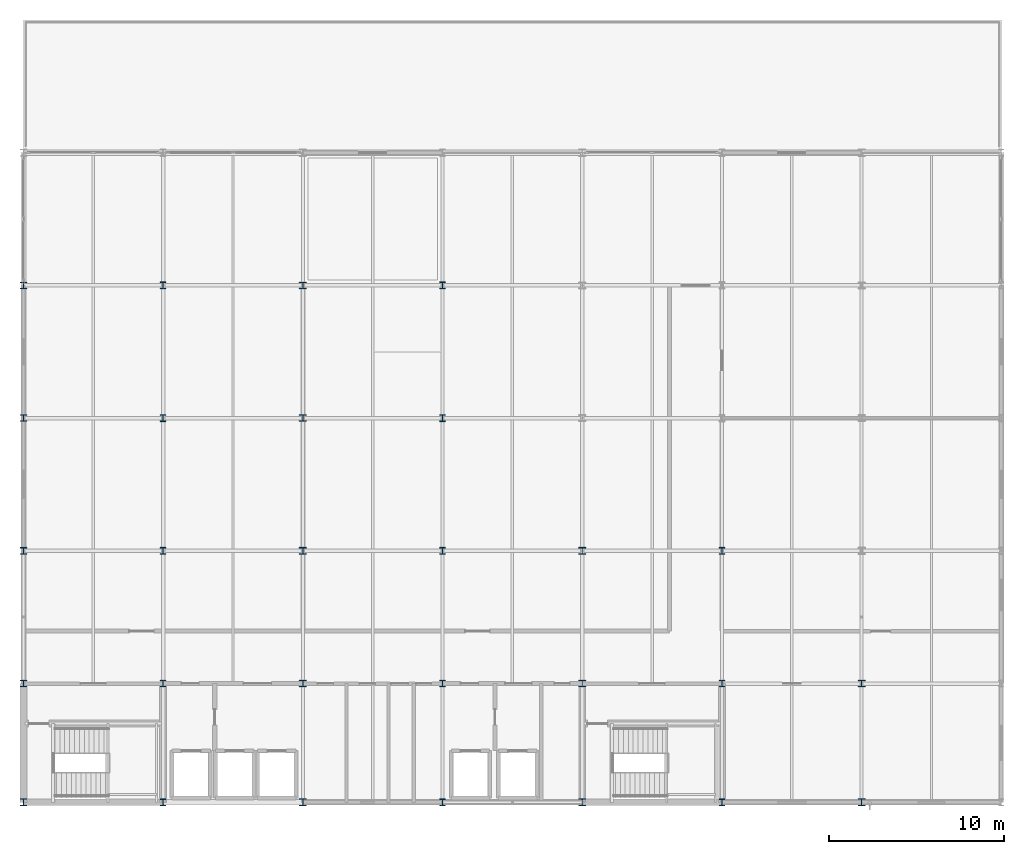
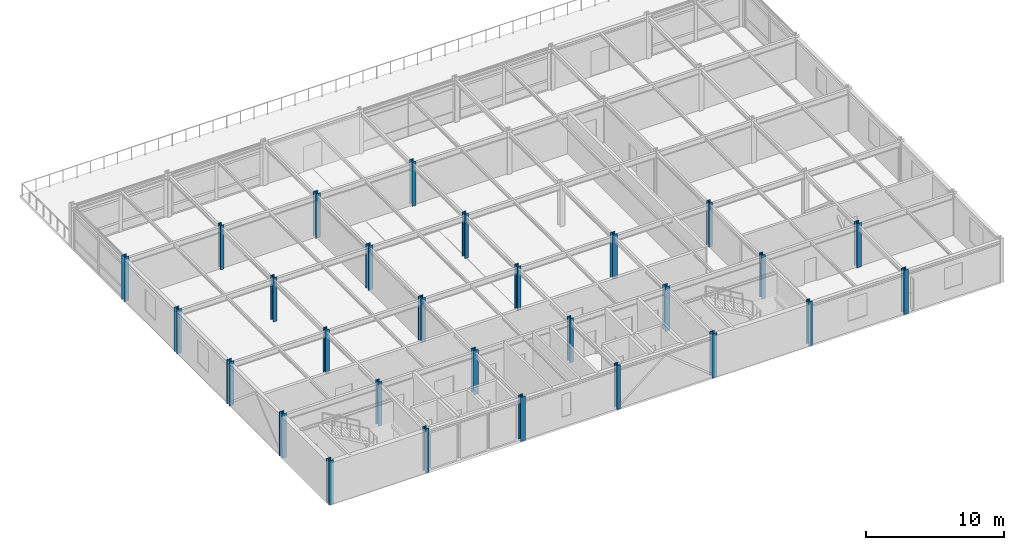
# One storey, part 1 of 17: 28 columns.
"""IFC4 building model written with IfcOpenShell, lengths in metres."""

from ifc_helpers import new_model, si_unit, direction, frame, origin, origin_2d, place, context, subcontext, project, spatial, i_section, extrude, material, material_profile, profile_set, type_object, element, save


model = new_model("IFC4")

# Units and contexts
model_context = context("Model", 3, precision=1e-05, world=origin(), true_north=direction((0.0, 1.0)))
body_context = subcontext(model_context, "Body", "Model", "MODEL_VIEW")
ifc_project = project(units=[si_unit("LENGTHUNIT", "METRE"), si_unit("AREAUNIT", "SQUARE_METRE"), si_unit("VOLUMEUNIT", "CUBIC_METRE"), si_unit("PLANEANGLEUNIT", "RADIAN"), si_unit("MASSUNIT", "GRAM", prefix="KILO")], contexts=[model_context])

# Site, building, storey
site_placement = place(None, origin())
site = spatial("IfcSite", under=ifc_project, at=site_placement, CompositionType="ELEMENT")
building_placement = place(site_placement, origin())
building = spatial("IfcBuilding", under=site, at=building_placement, Name="Shalkamar Park Central Library", CompositionType="ELEMENT")
storey_placement = place(building_placement, frame((0.0, 0.0, 36.0)))
storey = spatial("IfcBuildingStorey", under=building, at=storey_placement, Name="L09", CompositionType="ELEMENT", Elevation=36.0)

# Columns
ifc_material = material(Name="Steel S355", Category="steel")
ifc_material_profile_1 = material_profile(ifc_material, i_section(OverallWidth=0.39794921875, OverallDepth=0.386962890625, WebThickness=0.02099609375, FlangeThickness=0.033203125, FilletRadius=0.014892578125, at=origin_2d()), Name="HD 400x262")
ifc_profile_set_1 = profile_set([ifc_material_profile_1], Name="Steel S355")
column_type_1 = type_object("IfcColumnType", Name="Column Steel HD400x262", PredefinedType="COLUMN", material=ifc_profile_set_1)
for number, where, z_axis, x_axis, name in (
    (1, (165.0, 248.39990234375, 0.0), (0.0, 0.0, 1.0), (1.0, 0.0, 0.0), "Column 07/B (L09)"),
    (2, (165.0, 255.199951171875, 0.0), (0.0, 0.0, 1.0), (1.0, 0.0, 0.0), "Column 07/C (L09)"),
    (3, (165.0, 262.800048828125, 0.0), (0.0, 0.0, 1.0), (1.0, 0.0, 0.0), "Column 07/D (L09)"),
    (4, (165.0, 270.39990234375, 0.0), (0.0, 0.0, 1.0), (1.0, 0.0, 0.0), "Column 07/E (L09)"),
    (5, (165.0, 278.0, 0.0), (0.0, 0.0, 1.0), (1.0, 0.0, 0.0), "Column 07/F (L09)"),
    (6, (181.0, 248.39990234375, 0.0), (0.0, 0.0, 1.0), (1.0, 0.0, 0.0), "Column 09/B (L09)"),
    (7, (181.0, 255.199951171875, 0.0), (0.0, 0.0, 1.0), (1.0, 0.0, 0.0), "Column 09/C (L09)"),
    (8, (181.0, 262.800048828125, 0.0), (0.0, 0.0, 1.0), (1.0, 0.0, 0.0), "Column 09/D (L09)"),
    (9, (181.0, 270.39990234375, 0.0), (0.0, 0.0, 1.0), (1.0, 0.0, 0.0), "Column 09/E (L09)"),
    (10, (181.0, 278.0, 0.0), (0.0, 0.0, 1.0), (1.0, 0.0, 0.0), "Column 09/F (L09)"),
    (11, (197.0, 248.39990234375, 0.0), (0.0, 0.0, 1.0), (1.0, 0.0, 0.0), "Column 11/B (L09)"),
    (12, (197.0, 255.199951171875, 0.0), (0.0, 0.0, 1.0), (1.0, 0.0, 0.0), "Column 11/C (L09)"),
    (13, (197.0, 262.800048828125, 0.0), (0.0, 0.0, 1.0), (1.0, 0.0, 0.0), "Column 11/D (L09)"),
    (14, (213.0, 248.39990234375, 0.0), (0.0, 0.0, 1.0), (1.0, 0.0, 0.0), "Column 13/B (L09)"),
    (15, (213.0, 255.199951171875, 0.0), (0.0, 0.0, 1.0), (1.0, 0.0, 0.0), "Column 13/C (L09)"),
):
    element("IfcColumn", number, at=place(storey_placement, frame(where, z_axis=z_axis, x_axis=x_axis)), inside=storey, type_object=column_type_1, Name=name, PredefinedType="COLUMN", context=body_context, shape_type="SweptSolid", body=[
        extrude(i_section(OverallWidth=0.39794921875, OverallDepth=0.386962890625, WebThickness=0.02099609375, FlangeThickness=0.033203125, FilletRadius=0.014892578125, at=origin_2d()), origin(), (0.0, 0.0, 1.0), 3.89990234375),
    ])
ifc_material_profile_2 = material_profile(ifc_material, i_section(OverallWidth=0.30810546875, OverallDepth=0.39501953125, WebThickness=0.02099609375, FlangeThickness=0.0400390625, FilletRadius=0.027099609375, at=origin_2d()), Name="HEM 360")
ifc_profile_set_2 = profile_set([ifc_material_profile_2], Name="Steel S355")
column_type_2 = type_object("IfcColumnType", Name="Column Steel HEM360", PredefinedType="COLUMN", material=ifc_profile_set_2)
for number, where, z_axis, x_axis, name in (
    (16, (173.0, 248.39990234375, 0.0), (0.0, 0.0, 1.0), (1.0, 0.0, 0.0), "Column 08/B (L09)"),
    (17, (173.0, 255.199951171875, 0.0), (0.0, 0.0, 1.0), (1.0, 0.0, 0.0), "Column 08/C (L09)"),
    (18, (173.0, 262.800048828125, 0.0), (0.0, 0.0, 1.0), (1.0, 0.0, 0.0), "Column 08/D (L09)"),
    (19, (173.0, 270.39990234375, 0.0), (0.0, 0.0, 1.0), (1.0, 0.0, 0.0), "Column 08/E (L09)"),
    (20, (173.0, 278.0, 0.0), (0.0, 0.0, 1.0), (1.0, 0.0, 0.0), "Column 08/F (L09)"),
    (21, (189.0, 248.39990234375, 0.0), (0.0, 0.0, 1.0), (1.0, 0.0, 0.0), "Column 10/B (L09)"),
    (22, (189.0, 255.199951171875, 0.0), (0.0, 0.0, 1.0), (1.0, 0.0, 0.0), "Column 10/C (L09)"),
    (23, (189.0, 262.800048828125, 0.0), (0.0, 0.0, 1.0), (1.0, 0.0, 0.0), "Column 10/D (L09)"),
    (24, (189.0, 270.39990234375, 0.0), (0.0, 0.0, 1.0), (1.0, 0.0, 0.0), "Column 10/E (L09)"),
    (25, (189.0, 278.0, 0.0), (0.0, 0.0, 1.0), (1.0, 0.0, 0.0), "Column 10/F (L09)"),
    (26, (205.0, 248.39990234375, 0.0), (0.0, 0.0, 1.0), (1.0, 0.0, 0.0), "Column 12/B (L09)"),
    (27, (205.0, 255.199951171875, 0.0), (0.0, 0.0, 1.0), (1.0, 0.0, 0.0), "Column 12/C (L09)"),
    (28, (205.0, 262.800048828125, 0.0), (0.0, 0.0, 1.0), (1.0, 0.0, 0.0), "Column 12/D (L09)"),
):
    element("IfcColumn", number, at=place(storey_placement, frame(where, z_axis=z_axis, x_axis=x_axis)), inside=storey, type_object=column_type_2, Name=name, PredefinedType="COLUMN", context=body_context, shape_type="SweptSolid", body=[
        extrude(i_section(OverallWidth=0.30810546875, OverallDepth=0.39501953125, WebThickness=0.02099609375, FlangeThickness=0.0400390625, FilletRadius=0.027099609375, at=origin_2d()), origin(), (0.0, 0.0, 1.0), 3.89990234375),
    ])

save(model, "model.ifc")
